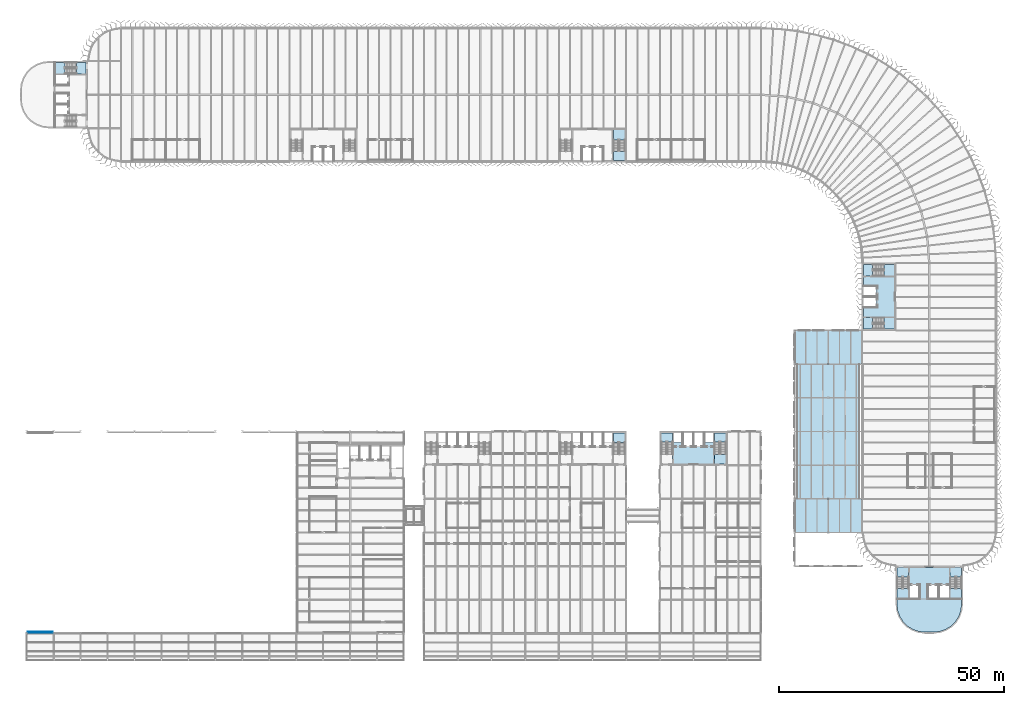
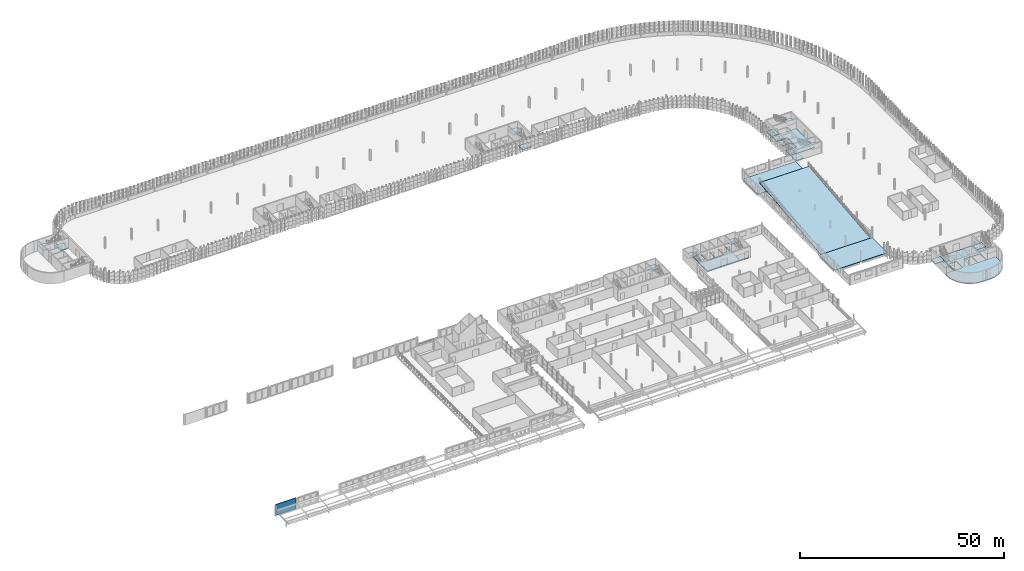
# One storey, part 61 of 214: 22 slabs, 1 wall, 9 elements without a shape of their own.
"""IFC4 building model written with IfcOpenShell, lengths in metres."""

from ifc_helpers import new_model, si_unit, direction, frame, frame_2d, origin, place, context, subcontext, project, spatial, polyline, rectangle, outline, extrude, material, layer, layer_set, type_object, element, aggregate, save


model = new_model("IFC4")

# Units and contexts
model_context = context("Model", 3, precision=1e-05, world=origin(), true_north=direction((0.0, 1.0)))
body_context = subcontext(model_context, "Body", "Model", "MODEL_VIEW")
ifc_project = project(units=[si_unit("LENGTHUNIT", "METRE"), si_unit("AREAUNIT", "SQUARE_METRE"), si_unit("VOLUMEUNIT", "CUBIC_METRE"), si_unit("PLANEANGLEUNIT", "RADIAN"), si_unit("MASSUNIT", "GRAM", prefix="KILO")], contexts=[model_context])

# Site, building, storey
site_placement = place(None, origin())
site = spatial("IfcSite", under=ifc_project, at=site_placement, CompositionType="ELEMENT")
building_placement = place(site_placement, origin())
building = spatial("IfcBuilding", under=site, at=building_placement, Name="Parallax Yard Mobility Hub", CompositionType="ELEMENT")
storey_placement = place(building_placement, frame((0.0, 0.0, 3.300048828125)))
storey = spatial("IfcBuildingStorey", under=building, at=storey_placement, Name="L01", CompositionType="ELEMENT", Elevation=3.300048828125)

# Slabs
ifc_material_1 = material(Name="Composite slab: Concrete fc' 28 MPa on 76 mm steel deck", Category="concrete")
ifc_layer_1 = layer(ifc_material_1, 0.139892578125)
ifc_layer_set_1 = layer_set([ifc_layer_1], Name="Composite floor slab 140")
slab_type_1 = type_object("IfcSlabType", Name="Composite floor slab 140", PredefinedType="FLOOR", material=ifc_layer_set_1)
slab_1_placement = place(storey_placement, frame((0.0, 0.0, -0.14013671875)))
element("IfcSlab", 1, at=slab_1_placement, inside=storey, type_object=slab_type_1, Name="Composite floor slab level L01 of the ramp house (south landing)", PredefinedType="FLOOR", context=body_context, shape_type="SweptSolid", body=[
    extrude(outline(polyline([(195.0, 30.0), (195.0, 37.5), (180.0, 37.5), (180.0, 30.0), (195.0, 30.0)])), origin(), (0.0, 0.0, 1.0), 0.14013671875),
])
slab_2_placement = place(storey_placement, frame((0.0, 0.0, -0.14013671875)))
element("IfcSlab", 2, at=slab_2_placement, inside=storey, type_object=slab_type_1, Name="Composite floor slab level L01 of the ramp house (north landing)", PredefinedType="FLOOR", context=body_context, shape_type="SweptSolid", body=[
    extrude(outline(polyline([(195.0, 67.5), (195.0, 75.0), (180.0, 75.0), (180.0, 67.5), (195.0, 67.5)])), origin(), (0.0, 0.0, 1.0), 0.14013671875),
])
ifc_material_2 = material(Name="Concrete fc' 28 MPa", Category="concrete")
ifc_layer_2 = layer(ifc_material_2, 0.199951171875)
ifc_layer_set_2 = layer_set([ifc_layer_2], Name="Concrete fc' 28 MPa vehicle ramp slab 200")
slab_type_2 = type_object("IfcSlabType", Name="Concrete fc' 28 MPa vehicle ramp slab 200", PredefinedType="FLOOR", material=ifc_layer_set_2)
slab_3_placement = place(storey_placement, frame((187.5, 37.5, 0.0), z_axis=(0.0, 0.0, 1.0), x_axis=(0.0, 1.0, 0.0)))
element("IfcSlab", 3, at=slab_3_placement, inside=storey, type_object=slab_type_2, Name="Vehicle ramp slab RP2 L01 to L02", PredefinedType="FLOOR", context=body_context, shape_type="SweptSolid", body=[
    extrude(outline(polyline([(0.0, -0.199951171875), (30.0, 3.10009765625), (30.0, 3.300048828125), (0.0, 0.0), (0.0, -0.199951171875)])), frame((0.0, 7.0, 0.0), z_axis=(0.0, -1.0, 0.0), x_axis=(1.0, 0.0, 0.0)), (0.0, 0.0, 1.0), 14.0),
])
ifc_material_3 = material(Name="Concrete fc' 35 MPa", Category="concrete")
ifc_layer_3 = layer(ifc_material_3, 0.199951171875)
ifc_layer_set_3 = layer_set([ifc_layer_3], Name="Core floor slab 200")
slab_type_3 = type_object("IfcSlabType", Name="Core floor slab 200", PredefinedType="FLOOR", material=ifc_layer_set_3)
slab_4_placement = place(storey_placement, frame((0.0, 0.0, -0.199951171875)))
element("IfcSlab", 4, at=slab_4_placement, inside=storey, type_object=slab_type_3, Name="Core C-E floor slab level L01", PredefinedType="FLOOR", context=body_context, shape_type="SweptSolid", body=[
    extrude(outline(polyline([(202.199951171875, 77.85009765625), (195.300048828125, 77.85009765625), (195.300048828125, 80.199951171875), (198.300048828125, 80.199951171875), (198.300048828125, 82.39990234375), (195.300048828125, 82.39990234375), (195.300048828125, 82.60009765625), (198.300048828125, 82.60009765625), (198.300048828125, 84.800048828125), (195.300048828125, 84.800048828125), (195.300048828125, 87.14990234375), (202.199951171875, 87.14990234375), (202.199951171875, 77.85009765625)])), origin(), (0.0, 0.0, 1.0), 0.199951171875),
])
slab_5_placement = place(storey_placement, frame((0.0, 0.0, -0.199951171875)))
element("IfcSlab", 5, at=slab_5_placement, inside=storey, type_object=slab_type_3, Name="Core C-S floor slab level L01", PredefinedType="FLOOR", context=body_context, shape_type="SweptSolid", body=[
    extrude(outline(polyline([(216.5859375, 11.309814453125), (215.847412109375, 10.13427734375), (214.86572265625, 9.152587890625), (213.690185546875, 8.4140625), (212.379638671875, 7.95556640625), (211.0, 7.800048828125), (209.0, 7.800048828125), (207.620361328125, 7.95556640625), (206.309814453125, 8.4140625), (205.13427734375, 9.152587890625), (204.152587890625, 10.13427734375), (203.4140625, 11.309814453125), (202.95556640625, 12.620361328125), (202.800048828125, 14.0), (202.800048828125, 15.300048828125), (205.35009765625, 15.300048828125), (205.35009765625, 22.199951171875), (214.64990234375, 22.199951171875), (214.64990234375, 15.300048828125), (217.199951171875, 15.300048828125), (217.199951171875, 14.0), (217.04443359375, 12.620361328125), (216.5859375, 11.309814453125)]), holes=[polyline([(214.39990234375, 18.300048828125), (212.199951171875, 18.300048828125), (212.199951171875, 15.300048828125), (214.39990234375, 15.300048828125), (214.39990234375, 18.300048828125)]), polyline([(212.0, 15.300048828125), (212.0, 18.300048828125), (209.800048828125, 18.300048828125), (209.800048828125, 15.300048828125), (212.0, 15.300048828125)]), polyline([(205.60009765625, 15.300048828125), (207.800048828125, 15.300048828125), (207.800048828125, 18.300048828125), (205.60009765625, 18.300048828125), (205.60009765625, 15.300048828125)])]), origin(), (0.0, 0.0, 1.0), 0.199951171875),
])
slab_6_placement = place(storey_placement, frame((0.0, 0.0, -0.199951171875)))
element("IfcSlab", 6, at=slab_6_placement, inside=storey, type_object=slab_type_3, Name="Core C5 floor slab level L01", PredefinedType="FLOOR", context=body_context, shape_type="SweptSolid", body=[
    extrude(outline(polyline([(157.39990234375, 49.199951171875), (157.39990234375, 52.199951171875), (157.60009765625, 52.199951171875), (157.60009765625, 49.199951171875), (159.800048828125, 49.199951171875), (159.800048828125, 52.199951171875), (160.0, 52.199951171875), (160.0, 50.10009765625), (161.89990234375, 50.10009765625), (161.89990234375, 52.199951171875), (162.14990234375, 52.199951171875), (162.14990234375, 45.300048828125), (152.85009765625, 45.300048828125), (152.85009765625, 52.199951171875), (153.10009765625, 52.199951171875), (153.10009765625, 50.10009765625), (155.0, 50.10009765625), (155.0, 52.199951171875), (155.199951171875, 52.199951171875), (155.199951171875, 49.199951171875), (157.39990234375, 49.199951171875)])), origin(), (0.0, 0.0, 1.0), 0.199951171875),
])

# Stair, slab
stair_type_1 = type_object("IfcStairType", Name="Exit stair 1200 dog-leg", PredefinedType="HALF_TURN_STAIR", material=ifc_material_3)
stair_1_placement = place(storey_placement, origin())
stair_1 = element("IfcStair", 7, at=stair_1_placement, inside=storey, type_object=stair_type_1, Name="L01 Exit stair 2 of core C-W", PredefinedType="HALF_TURN_STAIR")
ifc_layer_4 = layer(ifc_material_3, 0.199951171875)
ifc_layer_set_4 = layer_set([ifc_layer_4], Name="Exit stair landing 200")
slab_type_4 = type_object("IfcSlabType", Name="Exit stair landing 200", PredefinedType="LANDING", material=ifc_layer_set_4)
slab_7_placement = place(storey_placement, frame((0.0, 0.0, 1.449951171875)))
slab_7 = element("IfcSlab", 8, at=slab_7_placement, type_object=slab_type_4, Name="ST2 landing 1", PredefinedType="LANDING", context=body_context, shape_type="SweptSolid", body=[
    extrude(outline(polyline([(17.534912109375, 134.699951171875), (15.300048828125, 134.699951171875), (15.300048828125, 132.14990234375), (17.534912109375, 132.14990234375), (17.534912109375, 134.699951171875)])), origin(), (0.0, 0.0, 1.0), 0.199951171875),
])
aggregate(stair_1, [slab_7])

stair_2_placement = place(storey_placement, origin())
stair_2 = element("IfcStair", 9, at=stair_2_placement, inside=storey, type_object=stair_type_1, Name="L01 Exit stair 1 of core C-N2", PredefinedType="HALF_TURN_STAIR")
slab_8_placement = place(storey_placement, frame((0.0, 0.0, 1.449951171875)))
slab_8 = element("IfcSlab", 10, at=slab_8_placement, type_object=slab_type_4, Name="ST5 landing 1", PredefinedType="LANDING", context=body_context, shape_type="SweptSolid", body=[
    extrude(outline(polyline([(142.199951171875, 117.465087890625), (142.199951171875, 119.699951171875), (139.64990234375, 119.699951171875), (139.64990234375, 117.465087890625), (142.199951171875, 117.465087890625)])), origin(), (0.0, 0.0, 1.0), 0.199951171875),
])
aggregate(stair_2, [slab_8])

stair_3_placement = place(storey_placement, origin())
stair_3 = element("IfcStair", 11, at=stair_3_placement, inside=storey, type_object=stair_type_1, Name="L01 Exit stair 1 of core C-E", PredefinedType="HALF_TURN_STAIR")
slab_9_placement = place(storey_placement, frame((0.0, 0.0, 1.449951171875)))
slab_9 = element("IfcSlab", 12, at=slab_9_placement, type_object=slab_type_4, Name="ST7 landing 1", PredefinedType="LANDING", context=body_context, shape_type="SweptSolid", body=[
    extrude(outline(polyline([(199.965087890625, 75.300048828125), (202.199951171875, 75.300048828125), (202.199951171875, 77.85009765625), (199.965087890625, 77.85009765625), (199.965087890625, 75.300048828125)])), origin(), (0.0, 0.0, 1.0), 0.199951171875),
])
aggregate(stair_3, [slab_9])

stair_4_placement = place(storey_placement, origin())
stair_4 = element("IfcStair", 13, at=stair_4_placement, inside=storey, type_object=stair_type_1, Name="L01 Exit stair 2 of core C-E", PredefinedType="HALF_TURN_STAIR")
slab_10_placement = place(storey_placement, frame((0.0, 0.0, 1.449951171875)))
slab_10 = element("IfcSlab", 14, at=slab_10_placement, type_object=slab_type_4, Name="ST8 landing 1", PredefinedType="LANDING", context=body_context, shape_type="SweptSolid", body=[
    extrude(outline(polyline([(199.965087890625, 87.14990234375), (202.199951171875, 87.14990234375), (202.199951171875, 89.699951171875), (199.965087890625, 89.699951171875), (199.965087890625, 87.14990234375)])), origin(), (0.0, 0.0, 1.0), 0.199951171875),
])
aggregate(stair_4, [slab_10])

stair_5_placement = place(storey_placement, origin())
stair_5 = element("IfcStair", 15, at=stair_5_placement, inside=storey, type_object=stair_type_1, Name="L01 Exit stair 1 of core C-S", PredefinedType="HALF_TURN_STAIR")
slab_11_placement = place(storey_placement, frame((0.0, 0.0, 1.449951171875)))
slab_11 = element("IfcSlab", 16, at=slab_11_placement, type_object=slab_type_4, Name="ST9 landing 1", PredefinedType="LANDING", context=body_context, shape_type="SweptSolid", body=[
    extrude(outline(polyline([(214.64990234375, 17.534912109375), (214.64990234375, 15.300048828125), (217.199951171875, 15.300048828125), (217.199951171875, 17.534912109375), (214.64990234375, 17.534912109375)])), origin(), (0.0, 0.0, 1.0), 0.199951171875),
])
aggregate(stair_5, [slab_11])

stair_6_placement = place(storey_placement, origin())
stair_6 = element("IfcStair", 17, at=stair_6_placement, inside=storey, type_object=stair_type_1, Name="L01 Exit stair 2 of core C-S", PredefinedType="HALF_TURN_STAIR")
slab_12_placement = place(storey_placement, frame((0.0, 0.0, 1.449951171875)))
slab_12 = element("IfcSlab", 18, at=slab_12_placement, type_object=slab_type_4, Name="ST10 landing 1", PredefinedType="LANDING", context=body_context, shape_type="SweptSolid", body=[
    extrude(outline(polyline([(202.800048828125, 17.534912109375), (202.800048828125, 15.300048828125), (205.35009765625, 15.300048828125), (205.35009765625, 17.534912109375), (202.800048828125, 17.534912109375)])), origin(), (0.0, 0.0, 1.0), 0.199951171875),
])
aggregate(stair_6, [slab_12])

stair_type_2 = type_object("IfcStairType", Name="Sports deck stair 1200 dog-leg", PredefinedType="HALF_TURN_STAIR", material=ifc_material_3)
stair_7_placement = place(storey_placement, origin())
stair_7 = element("IfcStair", 19, at=stair_7_placement, inside=storey, type_object=stair_type_2, Name="L01 Exit stair 2 of core C6-E", PredefinedType="HALF_TURN_STAIR")
slab_13_placement = place(storey_placement, frame((0.0, 0.0, 1.449951171875)))
slab_13 = element("IfcSlab", 20, at=slab_13_placement, type_object=slab_type_4, Name="ST14 landing 1", PredefinedType="LANDING", context=body_context, shape_type="SweptSolid", body=[
    extrude(outline(polyline([(142.199951171875, 50.10009765625), (142.199951171875, 52.199951171875), (139.64990234375, 52.199951171875), (139.64990234375, 50.10009765625), (142.199951171875, 50.10009765625)])), origin(), (0.0, 0.0, 1.0), 0.199951171875),
])
aggregate(stair_7, [slab_13])

stair_type_3 = type_object("IfcStairType", Name="Public hall stair 1200 dog-leg", PredefinedType="HALF_TURN_STAIR", material=ifc_material_3)
stair_8_placement = place(storey_placement, origin())
stair_8 = element("IfcStair", 21, at=stair_8_placement, inside=storey, type_object=stair_type_3, Name="L01 Exit stair 1 of core C5", PredefinedType="HALF_TURN_STAIR")
slab_14_placement = place(storey_placement, frame((0.0, 0.0, 1.449951171875)))
slab_14 = element("IfcSlab", 22, at=slab_14_placement, type_object=slab_type_4, Name="ST15 landing 1", PredefinedType="LANDING", context=body_context, shape_type="SweptSolid", body=[
    extrude(outline(polyline([(152.85009765625, 50.18994140625), (152.85009765625, 52.199951171875), (150.300048828125, 52.199951171875), (150.300048828125, 50.18994140625), (152.85009765625, 50.18994140625)])), origin(), (0.0, 0.0, 1.0), 0.199951171875),
])
aggregate(stair_8, [slab_14])

stair_9_placement = place(storey_placement, origin())
stair_9 = element("IfcStair", 23, at=stair_9_placement, inside=storey, type_object=stair_type_3, Name="L01 Exit stair 2 of core C5", PredefinedType="HALF_TURN_STAIR")
slab_15_placement = place(storey_placement, frame((0.0, 0.0, 1.449951171875)))
slab_15 = element("IfcSlab", 24, at=slab_15_placement, type_object=slab_type_4, Name="ST16 landing 1", PredefinedType="LANDING", context=body_context, shape_type="SweptSolid", body=[
    extrude(outline(polyline([(164.699951171875, 50.18994140625), (164.699951171875, 52.199951171875), (162.14990234375, 52.199951171875), (162.14990234375, 50.18994140625), (164.699951171875, 50.18994140625)])), origin(), (0.0, 0.0, 1.0), 0.199951171875),
])
aggregate(stair_9, [slab_15])

# Slabs
ifc_layer_5 = layer(ifc_material_3, 0.199951171875)
ifc_layer_set_5 = layer_set([ifc_layer_5], Name="Stair floor landing slab 200")
slab_type_5 = type_object("IfcSlabType", Name="Stair floor landing slab 200", PredefinedType="FLOOR", material=ifc_layer_set_5)
slab_16_placement = place(storey_placement, frame((0.0, 0.0, -0.199951171875)))
element("IfcSlab", 25, at=slab_16_placement, inside=storey, type_object=slab_type_5, Name="Core C-W exit stair 2 floor landing level L01", PredefinedType="FLOOR", context=body_context, shape_type="SweptSolid", body=[
    extrude(outline(polyline([(20.10009765625, 132.14990234375), (20.10009765625, 134.699951171875), (22.199951171875, 134.699951171875), (22.199951171875, 132.14990234375), (20.10009765625, 132.14990234375)])), origin(), (0.0, 0.0, 1.0), 0.199951171875),
])
slab_17_placement = place(storey_placement, frame((0.0, 0.0, -0.199951171875)))
element("IfcSlab", 26, at=slab_17_placement, inside=storey, type_object=slab_type_5, Name="Core C-N2 exit stair 1 floor landing level L01", PredefinedType="FLOOR", context=body_context, shape_type="SweptSolid", body=[
    extrude(outline(polyline([(139.64990234375, 114.89990234375), (139.64990234375, 112.800048828125), (142.199951171875, 112.800048828125), (142.199951171875, 114.89990234375), (139.64990234375, 114.89990234375)])), origin(), (0.0, 0.0, 1.0), 0.199951171875),
])
slab_18_placement = place(storey_placement, frame((0.0, 0.0, -0.199951171875)))
element("IfcSlab", 27, at=slab_18_placement, inside=storey, type_object=slab_type_5, Name="Core C-E exit stair 1 floor landing level L01", PredefinedType="FLOOR", context=body_context, shape_type="SweptSolid", body=[
    extrude(outline(polyline([(197.39990234375, 77.85009765625), (195.300048828125, 77.85009765625), (195.300048828125, 75.300048828125), (197.39990234375, 75.300048828125), (197.39990234375, 77.85009765625)])), origin(), (0.0, 0.0, 1.0), 0.199951171875),
])
slab_19_placement = place(storey_placement, frame((0.0, 0.0, -0.199951171875)))
element("IfcSlab", 28, at=slab_19_placement, inside=storey, type_object=slab_type_5, Name="Core C-E exit stair 2 floor landing level L01", PredefinedType="FLOOR", context=body_context, shape_type="SweptSolid", body=[
    extrude(outline(polyline([(197.39990234375, 89.699951171875), (195.300048828125, 89.699951171875), (195.300048828125, 87.14990234375), (197.39990234375, 87.14990234375), (197.39990234375, 89.699951171875)])), origin(), (0.0, 0.0, 1.0), 0.199951171875),
])
slab_20_placement = place(storey_placement, frame((0.0, 0.0, -0.199951171875)))
element("IfcSlab", 29, at=slab_20_placement, inside=storey, type_object=slab_type_5, Name="Core C-S exit stair 1 floor landing level L01", PredefinedType="FLOOR", context=body_context, shape_type="SweptSolid", body=[
    extrude(outline(polyline([(217.199951171875, 20.10009765625), (214.64990234375, 20.10009765625), (214.64990234375, 22.199951171875), (217.199951171875, 22.199951171875), (217.199951171875, 20.10009765625)])), origin(), (0.0, 0.0, 1.0), 0.199951171875),
])
slab_21_placement = place(storey_placement, frame((0.0, 0.0, -0.199951171875)))
element("IfcSlab", 30, at=slab_21_placement, inside=storey, type_object=slab_type_5, Name="Core C-S exit stair 2 floor landing level L01", PredefinedType="FLOOR", context=body_context, shape_type="SweptSolid", body=[
    extrude(outline(polyline([(205.35009765625, 20.10009765625), (202.800048828125, 20.10009765625), (202.800048828125, 22.199951171875), (205.35009765625, 22.199951171875), (205.35009765625, 20.10009765625)])), origin(), (0.0, 0.0, 1.0), 0.199951171875),
])
slab_22_placement = place(storey_placement, frame((0.0, 0.0, -0.199951171875)))
element("IfcSlab", 31, at=slab_22_placement, inside=storey, type_object=slab_type_5, Name="Core C5 exit stair 2 floor landing level L01", PredefinedType="FLOOR", context=body_context, shape_type="SweptSolid", body=[
    extrude(outline(polyline([(164.699951171875, 45.300048828125), (164.699951171875, 47.39990234375), (162.14990234375, 47.39990234375), (162.14990234375, 45.300048828125), (164.699951171875, 45.300048828125)])), origin(), (0.0, 0.0, 1.0), 0.199951171875),
])

# Wall
ifc_layer_6 = layer(ifc_material_3, 0.219970703125)
ifc_layer_set_6 = layer_set([ifc_layer_6], Name="Gable panel, Concrete fc' 35 MPa precast, 220")
wall_type = type_object("IfcWallType", Name="Gable panel, Concrete fc' 35 MPa precast, 220", PredefinedType="SOLIDWALL", material=ifc_layer_set_6)
wall_placement = place(storey_placement, frame((9.1865234375, 7.74951171875, 0.0), z_axis=(0.0, 0.0, 1.0), x_axis=(1.0, 0.0, 0.0)))
element("IfcWall", 32, at=wall_placement, inside=storey, type_object=wall_type, Name="Bus and taxi deck south gable wall bay 1 level L01", PredefinedType="SOLIDWALL", context=body_context, shape_type="SweptSolid", body=[
    extrude(rectangle(XDim=5.626953125, YDim=0.219970703125, at=frame_2d((2.8134765625, 0.0))), origin(), (0.0, 0.0, 1.0), 3.300048828125),
])

save(model, "model.ifc")
